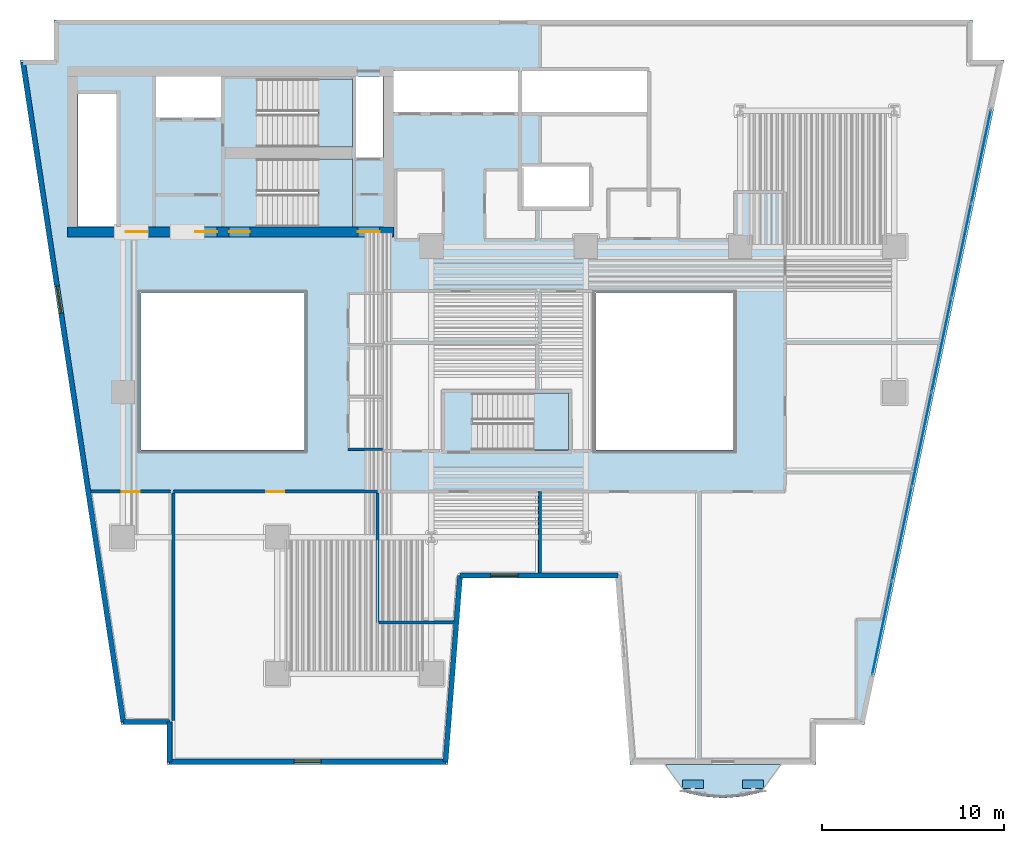
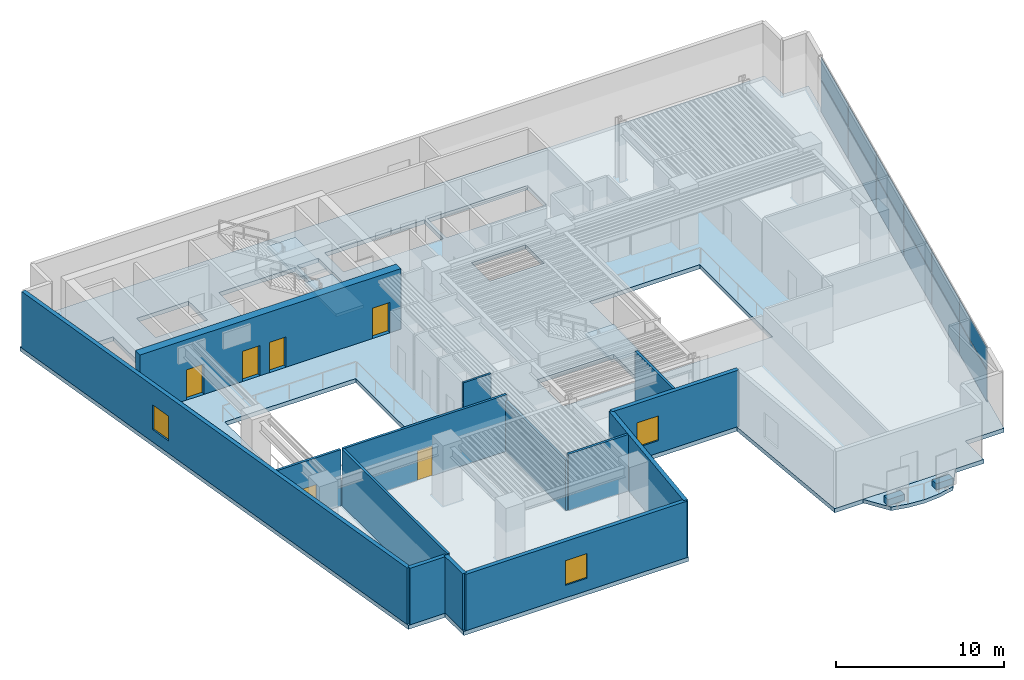
# One storey, part 3 of 11: 14 plates, 14 walls, 6 doors, 5 slabs, 3 windows, 9 openings, 4 elements without a shape of their own.
"""IFC4 building model written with IfcOpenShell, lengths in metres."""

from ifc_helpers import new_model, si_unit, direction, frame, frame_2d, origin, origin_2d, place, context, subcontext, project, spatial, polyline, rectangle, outline, extrude, material, layer, layer_set, type_object, element, fill, aggregate, save


model = new_model("IFC4")

# Units and contexts
model_context = context("Model", 3, precision=1e-05, world=origin(), true_north=direction((0.0, 1.0)))
body_context = subcontext(model_context, "Body", "Model", "MODEL_VIEW")
ifc_project = project(units=[si_unit("LENGTHUNIT", "METRE"), si_unit("AREAUNIT", "SQUARE_METRE"), si_unit("VOLUMEUNIT", "CUBIC_METRE"), si_unit("PLANEANGLEUNIT", "RADIAN"), si_unit("MASSUNIT", "GRAM", prefix="KILO")], contexts=[model_context])

# Site, building, storey
site_placement = place(None, origin())
site = spatial("IfcSite", under=ifc_project, at=site_placement, CompositionType="ELEMENT")
building_placement = place(site_placement, origin())
building = spatial("IfcBuilding", under=site, at=building_placement, Name="Caeloran Harvest Quay", CompositionType="ELEMENT")
storey_placement = place(building_placement, frame((0.0, 0.0, 62.199951171875)))
storey = spatial("IfcBuildingStorey", under=building, at=storey_placement, Name="L14", CompositionType="ELEMENT", Elevation=62.199951171875)

# Slab
ifc_material_1 = material(Name="Concrete C50/60", Category="concrete")
ifc_layer_1 = layer(ifc_material_1, 0.260009765625, Name="Concrete C50/60")
ifc_layer_set_1 = layer_set([ifc_layer_1], Name="Concrete C50/60")
slab_type_1 = type_object("IfcSlabType", Name="BALCONY-BL-260", PredefinedType="FLOOR", material=ifc_layer_set_1)
slab_1_placement = place(storey_placement, frame((0.0, 0.0, -0.260009765625)))
element("IfcSlab", 1, at=slab_1_placement, inside=storey, type_object=slab_type_1, Name="L14 Scalloped Cantilevered Planted Balcony Slab", PredefinedType="FLOOR", context=body_context, shape_type="SweptSolid", body=[
    extrude(outline(polyline([(43.686767578125, 0.965087890625), (42.622802734375, 0.72705078125), (41.55859375, 0.639892578125), (40.494384765625, 0.72705078125), (39.43017578125, 0.965087890625), (38.379638671875, 2.5), (44.7373046875, 2.5), (43.686767578125, 0.965087890625)])), origin(), (0.0, 0.0, 1.0), 0.260009765625),
])

# Curtain wall, plates
ifc_material_2 = material(Name="Aluminium 6063-T6 and Low-E Glazing", Category="aluminium")
ifc_layer_2 = layer(ifc_material_2, 0.199951171875, Name="Aluminium 6063-T6 and Low-E Glazing")
ifc_layer_set_2 = layer_set([ifc_layer_2], Name="Aluminium 6063-T6 and Low-E Glazing")
curtain_wall_type = type_object("IfcCurtainWallType", Name="CW-SYS-CW-2", PredefinedType="USERDEFINED", material=ifc_layer_set_2)
curtain_wall_placement = place(storey_placement, origin())
curtain_wall = element("IfcCurtainWall", 2, at=curtain_wall_placement, inside=storey, type_object=curtain_wall_type, Name="L14 Unitised Curtain Wall CW-2 Run 9", ObjectType="CURTAIN_WALL", PredefinedType="USERDEFINED")
ifc_material_3 = material(Name="Low-E Double Glazed Vision Glass Unit", Category="glass")
ifc_layer_3 = layer(ifc_material_3, 0.035888671875, Name="Low-E Double Glazed Vision Glass Unit")
ifc_layer_set_3 = layer_set([ifc_layer_3], Name="Low-E Double Glazed Vision Glass Unit")
plate_type_1 = type_object("IfcPlateType", Name="CW-VISION-PANEL", PredefinedType="CURTAIN_PANEL", material=ifc_layer_set_3)
plate_1_placement = place(storey_placement, frame((55.780029296875, 35.993408203125, 0.080078125), z_axis=(0.0, 0.0, 1.0), x_axis=(-0.205582960081, -0.978639691881, 0.0)))
plate_1 = element("IfcPlate", 3, at=plate_1_placement, type_object=plate_type_1, Name="CW-2 panel 1.1", PredefinedType="CURTAIN_PANEL", context=body_context, shape_type="SweptSolid", body=[
    extrude(rectangle(XDim=5.19873046875, YDim=0.035888671875, at=origin_2d()), origin(), (0.0, 0.0, 1.0), 2.280029296875),
])
plate_2_placement = place(storey_placement, frame((55.780029296875, 35.993408203125, 2.43994140625), z_axis=(0.0, 0.0, 1.0), x_axis=(-0.205582960081, -0.978639691881, 0.0)))
plate_2 = element("IfcPlate", 4, at=plate_2_placement, type_object=plate_type_1, Name="CW-2 panel 1.2", PredefinedType="CURTAIN_PANEL", context=body_context, shape_type="SweptSolid", body=[
    extrude(rectangle(XDim=5.19873046875, YDim=0.035888671875, at=origin_2d()), origin(), (0.0, 0.0, 1.0), 1.580078125),
])
plate_3_placement = place(storey_placement, frame((54.690673828125, 30.807861328125, 0.080078125), z_axis=(0.0, 0.0, 1.0), x_axis=(-0.205582960081, -0.978639691881, 0.0)))
plate_3 = element("IfcPlate", 5, at=plate_3_placement, type_object=plate_type_1, Name="CW-2 panel 2.1", PredefinedType="CURTAIN_PANEL", context=body_context, shape_type="SweptSolid", body=[
    extrude(rectangle(XDim=5.23876953125, YDim=0.035888671875, at=origin_2d()), origin(), (0.0, 0.0, 1.0), 2.280029296875),
])
plate_4_placement = place(storey_placement, frame((54.690673828125, 30.807861328125, 2.43994140625), z_axis=(0.0, 0.0, 1.0), x_axis=(-0.205582960081, -0.978639691881, 0.0)))
plate_4 = element("IfcPlate", 6, at=plate_4_placement, type_object=plate_type_1, Name="CW-2 panel 2.2", PredefinedType="CURTAIN_PANEL", context=body_context, shape_type="SweptSolid", body=[
    extrude(rectangle(XDim=5.23876953125, YDim=0.035888671875, at=origin_2d()), origin(), (0.0, 0.0, 1.0), 1.580078125),
])
plate_5_placement = place(storey_placement, frame((53.59716796875, 25.6025390625, 0.080078125), z_axis=(0.0, 0.0, 1.0), x_axis=(-0.205582960081, -0.978639691881, 0.0)))
plate_5 = element("IfcPlate", 7, at=plate_5_placement, type_object=plate_type_1, Name="CW-2 panel 3.1", PredefinedType="CURTAIN_PANEL", context=body_context, shape_type="SweptSolid", body=[
    extrude(rectangle(XDim=5.23876953125, YDim=0.035888671875, at=origin_2d()), origin(), (0.0, 0.0, 1.0), 2.280029296875),
])
plate_6_placement = place(storey_placement, frame((53.59716796875, 25.6025390625, 2.43994140625), z_axis=(0.0, 0.0, 1.0), x_axis=(-0.205582960081, -0.978639691881, 0.0)))
plate_6 = element("IfcPlate", 8, at=plate_6_placement, type_object=plate_type_1, Name="CW-2 panel 3.2", PredefinedType="CURTAIN_PANEL", context=body_context, shape_type="SweptSolid", body=[
    extrude(rectangle(XDim=5.23876953125, YDim=0.035888671875, at=origin_2d()), origin(), (0.0, 0.0, 1.0), 1.580078125),
])
plate_7_placement = place(storey_placement, frame((52.503662109375, 20.3974609375, 0.080078125), z_axis=(0.0, 0.0, 1.0), x_axis=(-0.205582960081, -0.978639691881, 0.0)))
plate_7 = element("IfcPlate", 9, at=plate_7_placement, type_object=plate_type_1, Name="CW-2 panel 4.1", PredefinedType="CURTAIN_PANEL", context=body_context, shape_type="SweptSolid", body=[
    extrude(rectangle(XDim=5.23876953125, YDim=0.035888671875, at=origin_2d()), origin(), (0.0, 0.0, 1.0), 2.280029296875),
])
plate_8_placement = place(storey_placement, frame((52.503662109375, 20.3974609375, 2.43994140625), z_axis=(0.0, 0.0, 1.0), x_axis=(-0.205582960081, -0.978639691881, 0.0)))
plate_8 = element("IfcPlate", 10, at=plate_8_placement, type_object=plate_type_1, Name="CW-2 panel 4.2", PredefinedType="CURTAIN_PANEL", context=body_context, shape_type="SweptSolid", body=[
    extrude(rectangle(XDim=5.23876953125, YDim=0.035888671875, at=origin_2d()), origin(), (0.0, 0.0, 1.0), 1.580078125),
])
plate_9_placement = place(storey_placement, frame((51.41015625, 15.192138671875, 0.080078125), z_axis=(0.0, 0.0, 1.0), x_axis=(-0.205582960081, -0.978639691881, 0.0)))
plate_9 = element("IfcPlate", 11, at=plate_9_placement, type_object=plate_type_1, Name="CW-2 panel 5.1", PredefinedType="CURTAIN_PANEL", context=body_context, shape_type="SweptSolid", body=[
    extrude(rectangle(XDim=5.23876953125, YDim=0.035888671875, at=origin_2d()), origin(), (0.0, 0.0, 1.0), 2.280029296875),
])
plate_10_placement = place(storey_placement, frame((51.41015625, 15.192138671875, 2.43994140625), z_axis=(0.0, 0.0, 1.0), x_axis=(-0.205582960081, -0.978639691881, 0.0)))
plate_10 = element("IfcPlate", 12, at=plate_10_placement, type_object=plate_type_1, Name="CW-2 panel 5.2", PredefinedType="CURTAIN_PANEL", context=body_context, shape_type="SweptSolid", body=[
    extrude(rectangle(XDim=5.23876953125, YDim=0.035888671875, at=origin_2d()), origin(), (0.0, 0.0, 1.0), 1.580078125),
])
plate_11_placement = place(storey_placement, frame((50.321044921875, 10.006591796875, 0.080078125), z_axis=(0.0, 0.0, 1.0), x_axis=(-0.205582960081, -0.978639691881, 0.0)))
plate_11 = element("IfcPlate", 13, at=plate_11_placement, type_object=plate_type_1, Name="CW-2 panel 6.1", PredefinedType="CURTAIN_PANEL", context=body_context, shape_type="SweptSolid", body=[
    extrude(rectangle(XDim=5.19873046875, YDim=0.035888671875, at=origin_2d()), origin(), (0.0, 0.0, 1.0), 2.280029296875),
])
plate_12_placement = place(storey_placement, frame((50.321044921875, 10.006591796875, 2.43994140625), z_axis=(0.0, 0.0, 1.0), x_axis=(-0.205582960081, -0.978639691881, 0.0)))
plate_12 = element("IfcPlate", 14, at=plate_12_placement, type_object=plate_type_1, Name="CW-2 panel 6.2", PredefinedType="CURTAIN_PANEL", context=body_context, shape_type="SweptSolid", body=[
    extrude(rectangle(XDim=5.19873046875, YDim=0.035888671875, at=origin_2d()), origin(), (0.0, 0.0, 1.0), 1.580078125),
])
aggregate(curtain_wall, [plate_1, plate_2, plate_3, plate_4, plate_5, plate_6, plate_7, plate_8, plate_9, plate_10, plate_11, plate_12])

# Plates
ifc_material_4 = material(Name="Precast concrete C50/60", Category="concrete")
ifc_layer_4 = layer(ifc_material_4, 0.449951171875, Name="Precast concrete C50/60")
ifc_layer_set_4 = layer_set([ifc_layer_4], Name="Precast concrete C50/60")
plate_type_2 = type_object("IfcPlateType", Name="PLANTER-TROUGH-450", PredefinedType="USERDEFINED", material=ifc_layer_set_4)
for number, where, z_axis, x_axis, name in (
    (15, (43.218505859375, 1.39990234375, 0.0), (0.0, 0.0, 1.0), (1.0, 0.0, 0.0), "L14 Balcony Vertical-Greenery Precast PLANTER Trough 1"),
    (16, (39.8984375, 1.39990234375, 0.0), (0.0, 0.0, 1.0), (1.0, 0.0, 0.0), "L14 Balcony Vertical-Greenery Precast PLANTER Trough 2"),
):
    element("IfcPlate", number, at=place(storey_placement, frame(where, z_axis=z_axis, x_axis=x_axis)), inside=storey, type_object=plate_type_2, Name=name, ObjectType="PLANTER", PredefinedType="USERDEFINED", context=body_context, shape_type="SweptSolid", body=[
        extrude(rectangle(XDim=1.14990234375, YDim=0.47998046875, at=origin_2d()), origin(), (0.0, 0.0, 1.0), 0.449951171875),
    ])

# Slab
ifc_layer_5 = layer(ifc_material_1, 0.300048828125, Name="Concrete C50/60")
ifc_layer_set_5 = layer_set([ifc_layer_5], Name="Concrete C50/60")
slab_type_2 = type_object("IfcSlabType", Name="SLAB-FS-300", PredefinedType="FLOOR", material=ifc_layer_set_5)
slab_2_placement = place(storey_placement, frame((0.0, 0.0, -0.300048828125)))
element("IfcSlab", 17, at=slab_2_placement, inside=storey, type_object=slab_type_2, Name="L14 Structural Floor Slab", PredefinedType="FLOOR", context=body_context, shape_type="SweptSolid", body=[
    extrude(outline(polyline([(10.93701171875, 2.5), (26.403076171875, 2.5), (27.202880859375, 12.75), (35.640380859375, 12.75), (36.4404296875, 2.5), (46.68701171875, 2.5), (46.68701171875, 4.699951171875), (49.34912109375, 4.699951171875), (57.037841796875, 41.300048828125), (55.300048828125, 41.300048828125), (55.300048828125, 43.5), (4.699951171875, 43.5), (4.699951171875, 41.300048828125), (2.834716796875, 41.300048828125), (8.40234375, 4.699951171875), (10.93701171875, 4.699951171875), (10.93701171875, 2.5)]), holes=[polyline([(18.5, 19.800048828125), (9.5, 19.800048828125), (9.5, 28.449951171875), (18.5, 28.449951171875), (18.5, 19.800048828125)]), polyline([(15.89990234375, 32.10009765625), (15.89990234375, 35.85009765625), (21.14990234375, 35.85009765625), (21.14990234375, 32.10009765625), (15.89990234375, 32.10009765625)]), polyline([(8.159912109375, 32.1201171875), (6.02001953125, 32.1201171875), (6.02001953125, 39.419921875), (8.159912109375, 39.419921875), (8.159912109375, 32.1201171875)]), polyline([(21.35009765625, 35.919921875), (21.35009765625, 40.3798828125), (22.830078125, 40.3798828125), (22.830078125, 35.919921875), (21.35009765625, 35.919921875)]), polyline([(15.89990234375, 40.25), (21.14990234375, 40.25), (21.14990234375, 36.5), (15.89990234375, 36.5), (15.89990234375, 40.25)]), polyline([(13.89990234375, 38.1201171875), (10.320068359375, 38.1201171875), (10.320068359375, 40.3798828125), (13.89990234375, 40.3798828125), (13.89990234375, 38.1201171875)]), polyline([(27.75, 22.949951171875), (33.050048828125, 22.949951171875), (33.050048828125, 19.800048828125), (27.75, 19.800048828125), (27.75, 22.949951171875)]), polyline([(34.550048828125, 19.800048828125), (34.550048828125, 28.449951171875), (42.14990234375, 28.449951171875), (42.14990234375, 19.800048828125), (34.550048828125, 19.800048828125)]), polyline([(34.199951171875, 33.219970703125), (30.47998046875, 33.219970703125), (30.47998046875, 35.429931640625), (34.199951171875, 35.429931640625), (34.199951171875, 33.219970703125)]), polyline([(23.419921875, 38.419921875), (23.419921875, 40.679931640625), (30.280029296875, 40.679931640625), (30.280029296875, 38.419921875), (23.419921875, 38.419921875)]), polyline([(30.47998046875, 38.419921875), (30.47998046875, 40.679931640625), (37.3798828125, 40.679931640625), (37.3798828125, 38.419921875), (30.47998046875, 38.419921875)])]), origin(), (0.0, 0.0, 1.0), 0.300048828125),
])

# Stair, slab
stair_type_1 = type_object("IfcStairType", Name="STAIR-STC-180", PredefinedType="HALF_TURN_STAIR", material=ifc_material_1)
stair_1_placement = place(storey_placement, origin())
stair_1 = element("IfcStair", 18, at=stair_1_placement, inside=storey, type_object=stair_type_1, Name="L14 Core Pressurized Exit Stair ST-C1", PredefinedType="HALF_TURN_STAIR")
ifc_layer_6 = layer(ifc_material_1, 0.219970703125, Name="Concrete C50/60")
ifc_layer_set_6 = layer_set([ifc_layer_6], Name="Concrete C50/60")
slab_type_3 = type_object("IfcSlabType", Name="STAIR-LANDING-220", PredefinedType="LANDING", material=ifc_layer_set_6)
slab_3_placement = place(storey_placement, frame((0.0, 0.0, 2.0)))
slab_3 = element("IfcSlab", 19, at=slab_3_placement, type_object=slab_type_3, Name="ST-C1 landing 1", PredefinedType="LANDING", context=body_context, shape_type="SweptSolid", body=[
    extrude(outline(polyline([(19.260009765625, 36.5), (21.14990234375, 36.5), (21.14990234375, 40.25), (19.260009765625, 40.25), (19.260009765625, 36.5)])), origin(), (0.0, 0.0, 1.0), 0.199951171875),
])
aggregate(stair_1, [slab_3])

stair_2_placement = place(storey_placement, origin())
stair_2 = element("IfcStair", 20, at=stair_2_placement, inside=storey, type_object=stair_type_1, Name="L14 Core Pressurized Exit Stair ST-C2", PredefinedType="HALF_TURN_STAIR")
slab_4_placement = place(storey_placement, frame((0.0, 0.0, 2.0)))
slab_4 = element("IfcSlab", 21, at=slab_4_placement, type_object=slab_type_3, Name="ST-C2 landing 1", PredefinedType="LANDING", context=body_context, shape_type="SweptSolid", body=[
    extrude(outline(polyline([(19.260009765625, 32.10009765625), (21.14990234375, 32.10009765625), (21.14990234375, 35.85009765625), (19.260009765625, 35.85009765625), (19.260009765625, 32.10009765625)])), origin(), (0.0, 0.0, 1.0), 0.199951171875),
])
aggregate(stair_2, [slab_4])

stair_type_2 = type_object("IfcStairType", Name="STAIR-STW-150", PredefinedType="HALF_TURN_STAIR", material=ifc_material_1)
stair_3_placement = place(storey_placement, origin())
stair_3 = element("IfcStair", 22, at=stair_3_placement, inside=storey, type_object=stair_type_2, Name="L14 East Wing Protected Exit Stair ST-W1", PredefinedType="HALF_TURN_STAIR")
slab_5_placement = place(storey_placement, frame((0.0, 0.0, 2.0)))
slab_5 = element("IfcSlab", 23, at=slab_5_placement, type_object=slab_type_3, Name="ST-W1 landing 1", PredefinedType="LANDING", context=body_context, shape_type="SweptSolid", body=[
    extrude(outline(polyline([(31.110107421875, 19.800048828125), (33.050048828125, 19.800048828125), (33.050048828125, 22.949951171875), (31.110107421875, 22.949951171875), (31.110107421875, 19.800048828125)])), origin(), (0.0, 0.0, 1.0), 0.199951171875),
])
aggregate(stair_3, [slab_5])

# Walls
ifc_layer_7 = layer(ifc_material_4, 0.280029296875, Name="Precast concrete C50/60")
ifc_layer_set_7 = layer_set([ifc_layer_7], Name="Precast concrete C50/60")
wall_type_1 = type_object("IfcWallType", Name="ENV-WALL-EW-280", PredefinedType="STANDARD", material=ifc_layer_set_7)
wall_1_placement = place(storey_placement, frame((11.076904296875, 2.639892578125, 0.0), z_axis=(0.0, 0.0, 1.0), x_axis=(0.0, 1.0, 0.0)))
element("IfcWall", 24, at=wall_1_placement, inside=storey, type_object=wall_type_1, Name="L14 Exterior Precast Concrete Facade Wall 1", PredefinedType="STANDARD", context=body_context, shape_type="SweptSolid", body=[
    extrude(rectangle(XDim=2.2001953125, YDim=0.280029296875, at=frame_2d((1.10009765625, 0.0))), origin(), (0.0, 0.0, 1.0), 4.10009765625),
])
wall_2_placement = place(storey_placement, frame((11.076904296875, 4.840087890625, 0.0), z_axis=(0.0, 0.0, 1.0), x_axis=(-1.0, 0.0, 0.0)))
element("IfcWall", 25, at=wall_2_placement, inside=storey, type_object=wall_type_1, Name="L14 Exterior Precast Concrete Facade Wall 2", PredefinedType="STANDARD", context=body_context, shape_type="SweptSolid", body=[
    extrude(rectangle(XDim=2.55419921875, YDim=0.280029296875, at=frame_2d((1.277099609375, 0.0))), origin(), (0.0, 0.0, 1.0), 4.10009765625),
])

# Wall, opening, window
wall_3_placement = place(storey_placement, frame((8.522705078125, 4.840087890625, 0.0), z_axis=(0.0, 0.0, 1.0), x_axis=(-0.150394554312, 0.988626055712, 0.0)))
wall_3 = element("IfcWall", 26, at=wall_3_placement, inside=storey, type_object=wall_type_1, Name="L14 Exterior Precast Concrete Facade Wall 3", PredefinedType="STANDARD", context=body_context, shape_type="SweptSolid", body=[
    extrude(rectangle(XDim=36.73779296875, YDim=0.280029296875, at=frame_2d((18.368896484375, 0.0))), origin(), (0.0, 0.0, 1.0), 4.10009765625),
])
opening_1_placement = place(wall_3_placement, frame((22.761962890625, 0.0, 0.89990234375)))
opening_1 = element("IfcOpeningElement", 27, at=opening_1_placement, cuts=wall_3, Name="Opening W-03", PredefinedType="OPENING", context=body_context, shape_type="SweptSolid", body=[
    extrude(rectangle(XDim=1.5, YDim=1.800048828125, at=frame_2d((0.75, 0.89990234375))), frame((0.0, 0.14990234375, 0.0), z_axis=(0.0, -1.0, 0.0), x_axis=(1.0, 0.0, 0.0)), (0.0, 0.0, 1.0), 0.300048828125),
])
ifc_material_5 = material(Name="Aluminium-Framed Low-E Laminated Glass", Category="aluminium")
window_type = type_object("IfcWindowType", Name="WIN-W-03", PartitioningType="SINGLE_PANEL", PredefinedType="WINDOW", material=ifc_material_5)
window_1_placement = place(opening_1_placement, origin())
window_1 = element("IfcWindow", 28, at=window_1_placement, inside=storey, type_object=window_type, Name="L14 Facade Punched Window W-03", OverallHeight=1.800048828125, OverallWidth=1.5, PartitioningType="SINGLE_PANEL", PredefinedType="WINDOW", context=body_context, shape_type="SweptSolid", body=[
    extrude(rectangle(XDim=1.5, YDim=1.800048828125, at=frame_2d((0.75, 0.89990234375))), frame((0.0, 0.030029296875, 0.0), z_axis=(0.0, -1.0, 0.0), x_axis=(1.0, 0.0, 0.0)), (0.0, 0.0, 1.0), 0.06005859375),
])
fill(opening_1, window_1)

wall_4_placement = place(storey_placement, frame((35.77001953125, 12.889892578125, 0.0), z_axis=(0.0, 0.0, 1.0), x_axis=(-1.0, 0.0, 0.0)))
wall_4 = element("IfcWall", 29, at=wall_4_placement, inside=storey, type_object=wall_type_1, Name="L14 Exterior Precast Concrete Facade Wall 14", PredefinedType="STANDARD", context=body_context, shape_type="SweptSolid", body=[
    extrude(rectangle(XDim=8.696533203125, YDim=0.280029296875, at=frame_2d((4.34814453125, 0.0))), origin(), (0.0, 0.0, 1.0), 4.10009765625),
])
opening_2_placement = place(wall_4_placement, frame((5.510986328125, 0.0, 0.89990234375)))
opening_2 = element("IfcOpeningElement", 30, at=opening_2_placement, cuts=wall_4, Name="Opening W-03", PredefinedType="OPENING", context=body_context, shape_type="SweptSolid", body=[
    extrude(rectangle(XDim=1.5, YDim=1.800048828125, at=frame_2d((0.75, 0.89990234375))), frame((0.0, 0.14990234375, 0.0), z_axis=(0.0, -1.0, 0.0), x_axis=(1.0, 0.0, 0.0)), (0.0, 0.0, 1.0), 0.300048828125),
])
window_2_placement = place(opening_2_placement, origin())
window_2 = element("IfcWindow", 31, at=window_2_placement, inside=storey, type_object=window_type, Name="L14 Facade Punched Window W-03", OverallHeight=1.800048828125, OverallWidth=1.5, PartitioningType="SINGLE_PANEL", PredefinedType="WINDOW", context=body_context, shape_type="SweptSolid", body=[
    extrude(rectangle(XDim=1.5, YDim=1.800048828125, at=frame_2d((0.75, 0.89990234375))), frame((0.0, 0.030029296875, 0.0), z_axis=(0.0, -1.0, 0.0), x_axis=(1.0, 0.0, 0.0)), (0.0, 0.0, 1.0), 0.06005859375),
])
fill(opening_2, window_2)

# Wall
wall_5_placement = place(storey_placement, frame((27.073486328125, 12.889892578125, 0.0), z_axis=(0.0, 0.0, 1.0), x_axis=(-0.077816860153, -0.996967670627, 0.0)))
element("IfcWall", 32, at=wall_5_placement, inside=storey, type_object=wall_type_1, Name="L14 Exterior Precast Concrete Facade Wall 15", PredefinedType="STANDARD", context=body_context, shape_type="SweptSolid", body=[
    extrude(rectangle(XDim=10.28125, YDim=0.280029296875, at=frame_2d((5.140625, 0.0))), origin(), (0.0, 0.0, 1.0), 4.10009765625),
])

# Wall, opening, window
wall_6_placement = place(storey_placement, frame((26.2734375, 2.639892578125, 0.0), z_axis=(0.0, 0.0, 1.0), x_axis=(-1.0, 0.0, 0.0)))
wall_6 = element("IfcWall", 33, at=wall_6_placement, inside=storey, type_object=wall_type_1, Name="L14 Exterior Precast Concrete Facade Wall 16", PredefinedType="STANDARD", context=body_context, shape_type="SweptSolid", body=[
    extrude(rectangle(XDim=15.196533203125, YDim=0.280029296875, at=frame_2d((7.59814453125, 0.0))), origin(), (0.0, 0.0, 1.0), 4.10009765625),
])
opening_3_placement = place(wall_6_placement, frame((6.847900390625, 0.0, 0.89990234375)))
opening_3 = element("IfcOpeningElement", 34, at=opening_3_placement, cuts=wall_6, Name="Opening W-03", PredefinedType="OPENING", context=body_context, shape_type="SweptSolid", body=[
    extrude(rectangle(XDim=1.5, YDim=1.800048828125, at=frame_2d((0.75, 0.89990234375))), frame((0.0, 0.14990234375, 0.0), z_axis=(0.0, -1.0, 0.0), x_axis=(1.0, 0.0, 0.0)), (0.0, 0.0, 1.0), 0.300048828125),
])
window_3_placement = place(opening_3_placement, origin())
window_3 = element("IfcWindow", 35, at=window_3_placement, inside=storey, type_object=window_type, Name="L14 Facade Punched Window W-03", OverallHeight=1.800048828125, OverallWidth=1.5, PartitioningType="SINGLE_PANEL", PredefinedType="WINDOW", context=body_context, shape_type="SweptSolid", body=[
    extrude(rectangle(XDim=1.5, YDim=1.800048828125, at=frame_2d((0.75, 0.89990234375))), frame((0.0, 0.030029296875, 0.0), z_axis=(0.0, -1.0, 0.0), x_axis=(1.0, 0.0, 0.0)), (0.0, 0.0, 1.0), 0.06005859375),
])
fill(opening_3, window_3)

# Wall
ifc_material_6 = material(Name="Moisture-Resistant Cement-Board Sanitary Partition", Category="gypsum")
ifc_layer_8 = layer(ifc_material_6, 0.139892578125, Name="Moisture-Resistant Cement-Board Sanitary Partition")
ifc_layer_set_8 = layer_set([ifc_layer_8], Name="Moisture-Resistant Cement-Board Sanitary Partition")
wall_type_2 = type_object("IfcWallType", Name="INT-WALL-PW-140", PredefinedType="PARTITIONING", material=ifc_layer_set_8)
wall_7_placement = place(storey_placement, frame((22.800048828125, 19.85009765625, 0.0), z_axis=(0.0, 0.0, 1.0), x_axis=(-1.0, 0.0, 0.0)))
element("IfcWall", 36, at=wall_7_placement, inside=storey, type_object=wall_type_2, Name="L14 Accessible Unisex Washroom WC Partition Wall", PredefinedType="PARTITIONING", context=body_context, shape_type="SweptSolid", body=[
    extrude(rectangle(XDim=1.89013671875, YDim=0.139892578125, at=frame_2d((0.945068359375, 0.0))), origin(), (0.0, 0.0, 1.0), 4.10009765625),
])

# Wall, opening, door
ifc_material_7 = material(Name="Autoclaved Aerated Concrete Blockwork", Category="masonry")
ifc_layer_9 = layer(ifc_material_7, 0.1650390625, Name="Autoclaved Aerated Concrete Blockwork")
ifc_layer_set_9 = layer_set([ifc_layer_9], Name="Autoclaved Aerated Concrete Blockwork")
wall_type_3 = type_object("IfcWallType", Name="INT-WALL-PW-165", PredefinedType="PARTITIONING", material=ifc_layer_set_9)
wall_8_placement = place(storey_placement, frame((11.280029296875, 17.52001953125, 0.0), z_axis=(0.0, 0.0, 1.0), x_axis=(1.0, 0.0, 0.0)))
wall_8 = element("IfcWall", 37, at=wall_8_placement, inside=storey, type_object=wall_type_3, Name="Fermented Botanical Kitchen Partition Wall", PredefinedType="PARTITIONING", context=body_context, shape_type="SweptSolid", body=[
    extrude(rectangle(XDim=11.239990234375, YDim=0.1650390625, at=frame_2d((5.6201171875, 0.0))), origin(), (0.0, 0.0, 1.0), 4.10009765625),
])
opening_4_placement = place(wall_8_placement, frame((5.1201171875, 0.0, 0.0)))
opening_4 = element("IfcOpeningElement", 38, at=opening_4_placement, cuts=wall_8, Name="Opening ID-01", PredefinedType="OPENING", context=body_context, shape_type="SweptSolid", body=[
    extrude(rectangle(XDim=1.0, YDim=2.14990234375, at=frame_2d((0.5, 1.074951171875))), frame((0.0, 0.092529296875, 0.0), z_axis=(0.0, -1.0, 0.0), x_axis=(1.0, 0.0, 0.0)), (0.0, 0.0, 1.0), 0.18505859375),
])
ifc_material_8 = material(Name="FSC Solid-Core Ash Timber and Acoustic Seal", Category="wood")
door_type_1 = type_object("IfcDoorType", Name="INTDOOR-ID-01", OperationType="NOTDEFINED", PredefinedType="DOOR", material=ifc_material_8)
door_1_placement = place(opening_4_placement, origin())
door_1 = element("IfcDoor", 39, at=door_1_placement, inside=storey, type_object=door_type_1, Name="Fermented Botanical Kitchen Access Door", OperationType="SINGLE_SWING_LEFT", OverallHeight=2.14990234375, OverallWidth=1.0, PredefinedType="DOOR", context=body_context, shape_type="SweptSolid", body=[
    extrude(rectangle(XDim=1.0, YDim=2.14990234375, at=frame_2d((0.5, 1.074951171875))), frame((0.0, 0.02490234375, 0.0), z_axis=(0.0, -1.0, 0.0), x_axis=(1.0, 0.0, 0.0)), (0.0, 0.0, 1.0), 0.050048828125),
])
fill(opening_4, door_1)

# Walls
wall_9_placement = place(storey_placement, frame((22.52001953125, 17.4326171875, 0.0), z_axis=(0.0, 0.0, 1.0), x_axis=(0.0, -1.0, 0.0)))
element("IfcWall", 40, at=wall_9_placement, inside=storey, type_object=wall_type_3, Name="Fermented Botanical Kitchen Partition Wall", PredefinedType="PARTITIONING", context=body_context, shape_type="SweptSolid", body=[
    extrude(rectangle(XDim=7.112548828125, YDim=0.1650390625, at=frame_2d((3.55615234375, 0.0))), origin(), (0.0, 0.0, 1.0), 3.68505859375),
])
wall_10_placement = place(storey_placement, frame((22.607421875, 10.320068359375, 0.0), z_axis=(0.0, 0.0, 1.0), x_axis=(1.0, 0.0, 0.0)))
element("IfcWall", 41, at=wall_10_placement, inside=storey, type_object=wall_type_3, Name="Fermented Botanical Kitchen Partition Wall", PredefinedType="PARTITIONING", context=body_context, shape_type="SweptSolid", body=[
    extrude(rectangle(XDim=4.1201171875, YDim=0.1650390625, at=frame_2d((2.06005859375, 0.0))), origin(), (0.0, 0.0, 1.0), 4.10009765625),
])
wall_11_placement = place(storey_placement, frame((11.280029296875, 4.910400390625, 0.0), z_axis=(0.0, 0.0, 1.0), x_axis=(0.0, 1.0, 0.0)))
element("IfcWall", 42, at=wall_11_placement, inside=storey, type_object=wall_type_3, Name="Fermented Botanical Kitchen Partition Wall", PredefinedType="PARTITIONING", context=body_context, shape_type="SweptSolid", body=[
    extrude(rectangle(XDim=12.522216796875, YDim=0.1650390625, at=frame_2d((6.26123046875, 0.0))), origin(), (0.0, 0.0, 1.0), 4.10009765625),
])
wall_12_placement = place(storey_placement, frame((31.47998046875, 13.034912109375, 0.0), z_axis=(0.0, 0.0, 1.0), x_axis=(0.0, 1.0, 0.0)))
element("IfcWall", 43, at=wall_12_placement, inside=storey, type_object=wall_type_3, Name="Seedling Sensory Salon Lounge Partition Wall", PredefinedType="PARTITIONING", context=body_context, shape_type="SweptSolid", body=[
    extrude(rectangle(XDim=4.485107421875, YDim=0.1650390625, at=frame_2d((2.24267578125, 0.0))), origin(), (0.0, 0.0, 1.0), 4.10009765625),
])

# Wall, opening, door
wall_13_placement = place(storey_placement, frame((6.740478515625, 17.52001953125, 0.0), z_axis=(0.0, 0.0, 1.0), x_axis=(1.0, 0.0, 0.0)))
wall_13 = element("IfcWall", 44, at=wall_13_placement, inside=storey, type_object=wall_type_3, Name="Pollination Dining Lounge Partition Wall", PredefinedType="PARTITIONING", context=body_context, shape_type="SweptSolid", body=[
    extrude(rectangle(XDim=4.379638671875, YDim=0.1650390625, at=frame_2d((2.18994140625, 0.0))), origin(), (0.0, 0.0, 1.0), 4.10009765625),
])
opening_5_placement = place(wall_13_placement, frame((1.689697265625, 0.0, 0.0)))
opening_5 = element("IfcOpeningElement", 45, at=opening_5_placement, cuts=wall_13, Name="Opening ID-01", PredefinedType="OPENING", context=body_context, shape_type="SweptSolid", body=[
    extrude(rectangle(XDim=1.0, YDim=2.14990234375, at=frame_2d((0.5, 1.074951171875))), frame((0.0, 0.092529296875, 0.0), z_axis=(0.0, -1.0, 0.0), x_axis=(1.0, 0.0, 0.0)), (0.0, 0.0, 1.0), 0.18505859375),
])
door_2_placement = place(opening_5_placement, origin())
door_2 = element("IfcDoor", 46, at=door_2_placement, inside=storey, type_object=door_type_1, Name="Pollination Dining Lounge Access Door", OperationType="SINGLE_SWING_RIGHT", OverallHeight=2.14990234375, OverallWidth=1.0, PredefinedType="DOOR", context=body_context, shape_type="SweptSolid", body=[
    extrude(rectangle(XDim=1.0, YDim=2.14990234375, at=frame_2d((0.5, 1.074951171875))), frame((0.0, 0.02490234375, 0.0), z_axis=(0.0, -1.0, 0.0), x_axis=(1.0, 0.0, 0.0)), (0.0, 0.0, 1.0), 0.050048828125),
])
fill(opening_5, door_2)

# Wall, openings, doors
ifc_material_9 = material(Name="Concrete C80/95", Category="concrete")
ifc_layer_10 = layer(ifc_material_9, 0.550048828125, Name="Concrete C80/95")
ifc_layer_set_10 = layer_set([ifc_layer_10], Name="Concrete C80/95")
wall_type_4 = type_object("IfcWallType", Name="STR-WALL-CW-550", PredefinedType="SHEAR", material=ifc_layer_set_10)
wall_14_placement = place(storey_placement, frame((5.449951171875, 31.824951171875, 0.0), z_axis=(0.0, 0.0, 1.0), x_axis=(1.0, 0.0, 0.0)))
wall_14 = element("IfcWall", 47, at=wall_14_placement, inside=storey, type_object=wall_type_4, Name="L14 Rear Core Shear Wall S", PredefinedType="SHEAR", context=body_context, shape_type="SweptSolid", body=[
    extrude(rectangle(XDim=17.949951171875, YDim=0.550048828125, at=frame_2d((8.97509765625, 0.0))), origin(), (0.0, 0.0, 1.0), 4.400146484375),
])
opening_6_placement = place(wall_14_placement, frame((3.199951171875, 0.0, 0.0)))
opening_6 = element("IfcOpeningElement", 48, at=opening_6_placement, cuts=wall_14, Name="Opening FD-01", PredefinedType="OPENING", context=body_context, shape_type="SweptSolid", body=[
    extrude(rectangle(XDim=1.199951171875, YDim=2.199951171875, at=frame_2d((0.60009765625, 1.10009765625))), frame((0.0, 0.28515625, 0.0), z_axis=(0.0, -1.0, 0.0), x_axis=(1.0, 0.0, 0.0)), (0.0, 0.0, 1.0), 0.570068359375),
])
opening_7_placement = place(wall_14_placement, frame((7.050048828125, 0.0, 0.0)))
opening_7 = element("IfcOpeningElement", 49, at=opening_7_placement, cuts=wall_14, Name="Opening FD-01", PredefinedType="OPENING", context=body_context, shape_type="SweptSolid", body=[
    extrude(rectangle(XDim=1.199951171875, YDim=2.199951171875, at=frame_2d((0.60009765625, 1.10009765625))), frame((0.0, 0.28515625, 0.0), z_axis=(0.0, -1.0, 0.0), x_axis=(1.0, 0.0, 0.0)), (0.0, 0.0, 1.0), 0.570068359375),
])
opening_8_placement = place(wall_14_placement, frame((8.89990234375, 0.0, 0.0)))
opening_8 = element("IfcOpeningElement", 50, at=opening_8_placement, cuts=wall_14, Name="Opening SD-01", PredefinedType="OPENING", context=body_context, shape_type="SweptSolid", body=[
    extrude(rectangle(XDim=1.14990234375, YDim=2.199951171875, at=frame_2d((0.574951171875, 1.10009765625))), frame((0.0, 0.28515625, 0.0), z_axis=(0.0, -1.0, 0.0), x_axis=(1.0, 0.0, 0.0)), (0.0, 0.0, 1.0), 0.570068359375),
])
opening_9_placement = place(wall_14_placement, frame((16.0, 0.0, 0.0)))
opening_9 = element("IfcOpeningElement", 51, at=opening_9_placement, cuts=wall_14, Name="Opening FD-01", PredefinedType="OPENING", context=body_context, shape_type="SweptSolid", body=[
    extrude(rectangle(XDim=1.199951171875, YDim=2.199951171875, at=frame_2d((0.60009765625, 1.10009765625))), frame((0.0, 0.28515625, 0.0), z_axis=(0.0, -1.0, 0.0), x_axis=(1.0, 0.0, 0.0)), (0.0, 0.0, 1.0), 0.570068359375),
])
ifc_material_10 = material(Name="Steel", Category="steel")
door_type_2 = type_object("IfcDoorType", Name="INTDOOR-FD-01", OperationType="NOTDEFINED", PredefinedType="DOOR", material=ifc_material_10)
door_3_placement = place(opening_6_placement, origin())
door_3 = element("IfcDoor", 52, at=door_3_placement, inside=storey, type_object=door_type_2, Name="L14 High-Rise Lift Lobby Fire Door", OperationType="SINGLE_SWING_LEFT", OverallHeight=2.199951171875, OverallWidth=1.199951171875, PredefinedType="DOOR", context=body_context, shape_type="SweptSolid", body=[
    extrude(rectangle(XDim=1.199951171875, YDim=2.199951171875, at=frame_2d((0.60009765625, 1.10009765625))), frame((0.0, 0.02490234375, 0.0), z_axis=(0.0, -1.0, 0.0), x_axis=(1.0, 0.0, 0.0)), (0.0, 0.0, 1.0), 0.050048828125),
])
fill(opening_6, door_3)
door_4_placement = place(opening_7_placement, origin())
door_4 = element("IfcDoor", 53, at=door_4_placement, inside=storey, type_object=door_type_2, Name="L14 Firefighting Lobby Vestibule Fire Door", OperationType="SINGLE_SWING_RIGHT", OverallHeight=2.199951171875, OverallWidth=1.199951171875, PredefinedType="DOOR", context=body_context, shape_type="SweptSolid", body=[
    extrude(rectangle(XDim=1.199951171875, YDim=2.199951171875, at=frame_2d((0.60009765625, 1.10009765625))), frame((0.0, 0.02490234375, 0.0), z_axis=(0.0, -1.0, 0.0), x_axis=(1.0, 0.0, 0.0)), (0.0, 0.0, 1.0), 0.050048828125),
])
fill(opening_7, door_4)
door_5_placement = place(opening_9_placement, origin())
door_5 = element("IfcDoor", 54, at=door_5_placement, inside=storey, type_object=door_type_2, Name="L14 Service Lift Lobby Fire Door", OperationType="SINGLE_SWING_RIGHT", OverallHeight=2.199951171875, OverallWidth=1.199951171875, PredefinedType="DOOR", context=body_context, shape_type="SweptSolid", body=[
    extrude(rectangle(XDim=1.199951171875, YDim=2.199951171875, at=frame_2d((0.60009765625, 1.10009765625))), frame((0.0, 0.02490234375, 0.0), z_axis=(0.0, -1.0, 0.0), x_axis=(1.0, 0.0, 0.0)), (0.0, 0.0, 1.0), 0.050048828125),
])
fill(opening_9, door_5)
door_type_3 = type_object("IfcDoorType", Name="INTDOOR-SD-01", OperationType="NOTDEFINED", PredefinedType="DOOR", material=ifc_material_10)
door_6_placement = place(opening_8_placement, origin())
door_6 = element("IfcDoor", 55, at=door_6_placement, inside=storey, type_object=door_type_3, Name="L14 Protected Stair ST-C2 Exit Door", OperationType="SINGLE_SWING_LEFT", OverallHeight=2.199951171875, OverallWidth=1.14990234375, PredefinedType="DOOR", context=body_context, shape_type="SweptSolid", body=[
    extrude(rectangle(XDim=1.14990234375, YDim=2.199951171875, at=frame_2d((0.574951171875, 1.10009765625))), frame((0.0, 0.02490234375, 0.0), z_axis=(0.0, -1.0, 0.0), x_axis=(1.0, 0.0, 0.0)), (0.0, 0.0, 1.0), 0.050048828125),
])
fill(opening_8, door_6)

save(model, "model.ifc")
